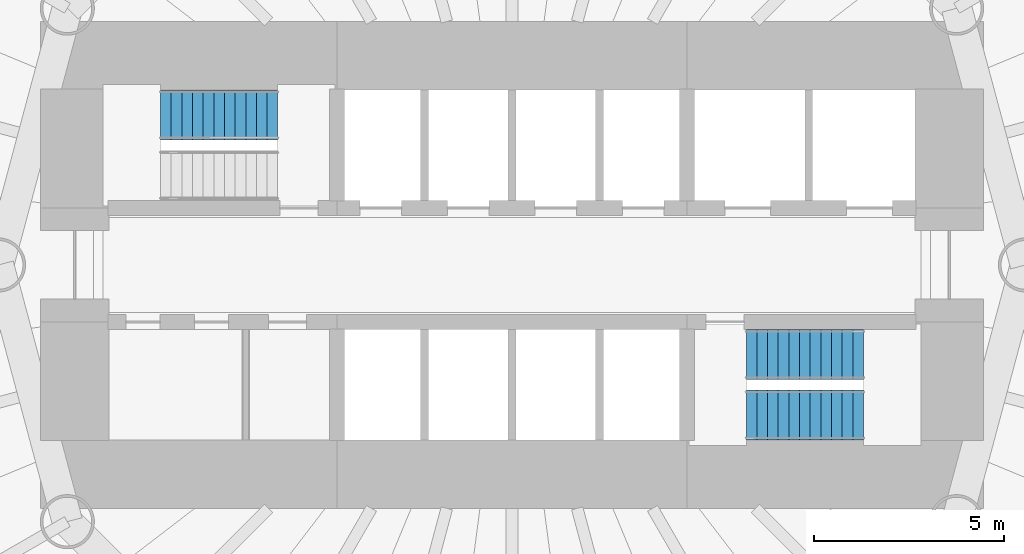
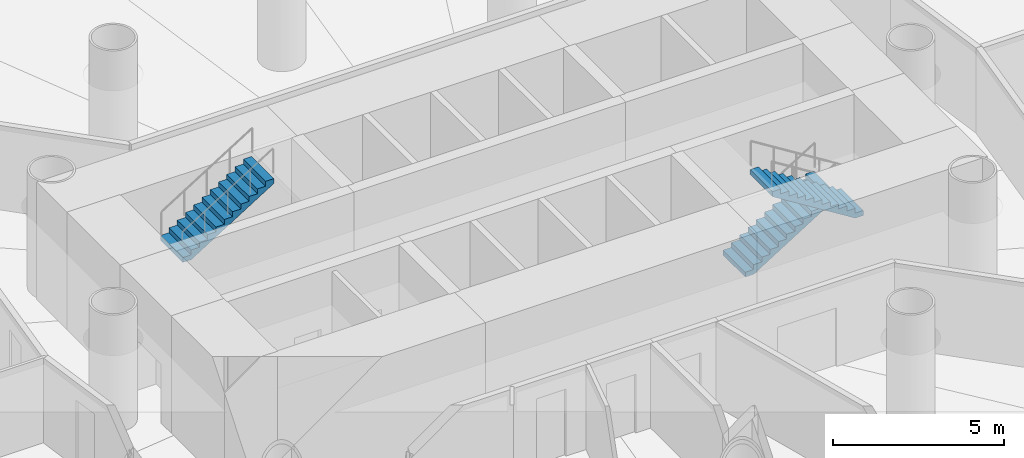
# One storey, part 12 of 16: 3 stair flights, 2 elements without a shape of their own.
"""IFC4 building model written with IfcOpenShell, lengths in metres."""

from ifc_helpers import new_model, si_unit, direction, frame, origin, place, context, subcontext, project, spatial, polyline, outline, extrude, material, type_object, element, aggregate, save


model = new_model("IFC4")

# Units and contexts
model_context = context("Model", 3, precision=1e-05, world=origin(), true_north=direction((0.0, 1.0)))
body_context = subcontext(model_context, "Body", "Model", "MODEL_VIEW")
ifc_project = project(units=[si_unit("LENGTHUNIT", "METRE"), si_unit("AREAUNIT", "SQUARE_METRE"), si_unit("VOLUMEUNIT", "CUBIC_METRE"), si_unit("PLANEANGLEUNIT", "RADIAN"), si_unit("MASSUNIT", "GRAM", prefix="KILO")], contexts=[model_context])

# Site, building, storey
site_placement = place(None, origin())
site = spatial("IfcSite", under=ifc_project, at=site_placement, CompositionType="ELEMENT")
building_placement = place(site_placement, origin())
building = spatial("IfcBuilding", under=site, at=building_placement, Name="Qaws Media Tower", CompositionType="ELEMENT")
storey_placement = place(building_placement, frame((0.0, 0.0, 63.800048828125)))
storey = spatial("IfcBuildingStorey", under=building, at=storey_placement, Name="L13", CompositionType="ELEMENT", Elevation=63.800048828125)

# Stair, stair flight
ifc_material_1 = material(Name="Concrete C40/50", Category="concrete")
stair_type = type_object("IfcStairType", Name="Exit stair", PredefinedType="HALF_TURN_STAIR", material=ifc_material_1)
stair_1_placement = place(storey_placement, origin())
stair_1 = element("IfcStair", 1, at=stair_1_placement, inside=storey, type_object=stair_type, Name="S1 exit stair L13", PredefinedType="HALF_TURN_STAIR")
ifc_material_2 = material(Name="Concrete C40/50", Category="concrete")
stair_flight_type = type_object("IfcStairFlightType", Name="Stair flight 1310", PredefinedType="STRAIGHT", material=ifc_material_2)
stair_flight_1_placement = place(storey_placement, frame((50.760009765625, 53.945068359375, 2.099853515625), z_axis=(0.0, 0.0, 1.0), x_axis=(1.0, 0.0, 0.0)))
stair_flight_1 = element("IfcStairFlight", 2, at=stair_flight_1_placement, type_object=stair_flight_type, Name="S1 flight 2", NumberOfRisers=12, NumberOfTreads=11, PredefinedType="STRAIGHT", RiserHeight=0.175, TreadLength=0.28, context=body_context, shape_type="SweptSolid", body=[
    extrude(outline(polyline([(0.0, 0.0), (0.0, 0.175048828125), (0.280029296875, 0.175048828125), (0.280029296875, 0.35009765625), (0.56005859375, 0.35009765625), (0.56005859375, 0.52490234375), (0.840087890625, 0.52490234375), (0.840087890625, 0.699951171875), (1.1201171875, 0.699951171875), (1.1201171875, 0.875), (1.39990234375, 0.875), (1.39990234375, 1.050048828125), (1.679931640625, 1.050048828125), (1.679931640625, 1.22509765625), (1.9599609375, 1.22509765625), (1.9599609375, 1.39990234375), (2.239990234375, 1.39990234375), (2.239990234375, 1.574951171875), (2.52001953125, 1.574951171875), (2.52001953125, 1.75), (2.800048828125, 1.75), (2.800048828125, 1.925048828125), (3.080078125, 1.925048828125), (3.080078125, 2.10009765625), (3.080078125, 1.748291015625), (0.28271484375, 0.0), (0.0, 0.0)])), frame((0.0, 0.655029296875, 0.0), z_axis=(0.0, -1.0, 0.0), x_axis=(1.0, 0.0, 0.0)), (0.0, 0.0, 1.0), 1.31005859375),
])
aggregate(stair_1, [stair_flight_1])

# Stair, stair flights
stair_2_placement = place(storey_placement, origin())
stair_2 = element("IfcStair", 3, at=stair_2_placement, inside=storey, type_object=stair_type, Name="S2 exit stair L13", PredefinedType="HALF_TURN_STAIR")
stair_flight_2_placement = place(storey_placement, frame((66.159912109375, 47.64501953125, 0.0), z_axis=(0.0, 0.0, 1.0), x_axis=(1.0, 0.0, 0.0)))
stair_flight_2 = element("IfcStairFlight", 4, at=stair_flight_2_placement, type_object=stair_flight_type, Name="S2 flight 1", NumberOfRisers=12, NumberOfTreads=11, PredefinedType="STRAIGHT", RiserHeight=0.175, TreadLength=0.28, context=body_context, shape_type="SweptSolid", body=[
    extrude(outline(polyline([(0.0, 0.0), (0.0, 0.175048828125), (0.280029296875, 0.175048828125), (0.280029296875, 0.35009765625), (0.56005859375, 0.35009765625), (0.56005859375, 0.52490234375), (0.840087890625, 0.52490234375), (0.840087890625, 0.699951171875), (1.1201171875, 0.699951171875), (1.1201171875, 0.875), (1.39990234375, 0.875), (1.39990234375, 1.050048828125), (1.679931640625, 1.050048828125), (1.679931640625, 1.22509765625), (1.9599609375, 1.22509765625), (1.9599609375, 1.39990234375), (2.239990234375, 1.39990234375), (2.239990234375, 1.574951171875), (2.52001953125, 1.574951171875), (2.52001953125, 1.75), (2.800048828125, 1.75), (2.800048828125, 1.925048828125), (3.080078125, 1.925048828125), (3.080078125, 2.10009765625), (3.080078125, 1.748291015625), (0.28271484375, 0.0), (0.0, 0.0)])), frame((0.0, 0.655029296875, 0.0), z_axis=(0.0, -1.0, 0.0), x_axis=(1.0, 0.0, 0.0)), (0.0, 0.0, 1.0), 1.31005859375),
])
stair_flight_3_placement = place(storey_placement, frame((69.239990234375, 46.054931640625, 2.099853515625), z_axis=(0.0, 0.0, 1.0), x_axis=(-1.0, 0.0, 0.0)))
stair_flight_3 = element("IfcStairFlight", 5, at=stair_flight_3_placement, type_object=stair_flight_type, Name="S2 flight 2", NumberOfRisers=12, NumberOfTreads=11, PredefinedType="STRAIGHT", RiserHeight=0.175, TreadLength=0.28, context=body_context, shape_type="SweptSolid", body=[
    extrude(outline(polyline([(0.0, 0.0), (0.0, 0.175048828125), (0.280029296875, 0.175048828125), (0.280029296875, 0.35009765625), (0.56005859375, 0.35009765625), (0.56005859375, 0.52490234375), (0.840087890625, 0.52490234375), (0.840087890625, 0.699951171875), (1.1201171875, 0.699951171875), (1.1201171875, 0.875), (1.39990234375, 0.875), (1.39990234375, 1.050048828125), (1.679931640625, 1.050048828125), (1.679931640625, 1.22509765625), (1.9599609375, 1.22509765625), (1.9599609375, 1.39990234375), (2.239990234375, 1.39990234375), (2.239990234375, 1.574951171875), (2.52001953125, 1.574951171875), (2.52001953125, 1.75), (2.800048828125, 1.75), (2.800048828125, 1.925048828125), (3.080078125, 1.925048828125), (3.080078125, 2.10009765625), (3.080078125, 1.748291015625), (0.28271484375, 0.0), (0.0, 0.0)])), frame((0.0, 0.655029296875, 0.0), z_axis=(0.0, -1.0, 0.0), x_axis=(1.0, 0.0, 0.0)), (0.0, 0.0, 1.0), 1.31005859375),
])
aggregate(stair_2, [stair_flight_2, stair_flight_3])

save(model, "model.ifc")
